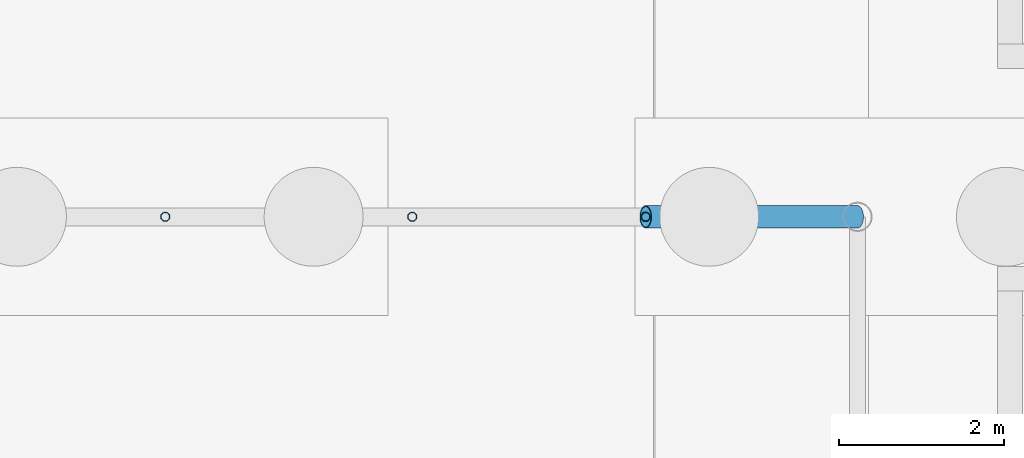
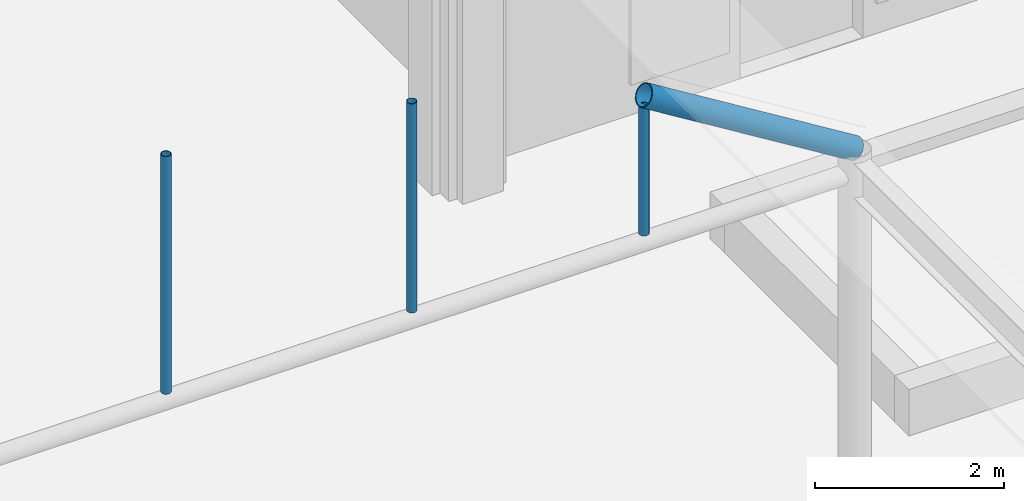
# One storey, part 138 of 212: 4 members.
"""IFC4 building model written with IfcOpenShell, lengths in metres."""

from ifc_helpers import new_model, si_unit, direction, frame, origin, origin_2d, place, context, subcontext, project, spatial, hollow_circle, extrude, material, material_profile, profile_set, type_object, element, save


model = new_model("IFC4")

# Units and contexts
model_context = context("Model", 3, precision=1e-05, world=origin(), true_north=direction((0.0, 1.0)))
body_context = subcontext(model_context, "Body", "Model", "MODEL_VIEW")
ifc_project = project(units=[si_unit("LENGTHUNIT", "METRE"), si_unit("AREAUNIT", "SQUARE_METRE"), si_unit("VOLUMEUNIT", "CUBIC_METRE"), si_unit("PLANEANGLEUNIT", "RADIAN"), si_unit("MASSUNIT", "GRAM", prefix="KILO")], contexts=[model_context])

# Site, building, storey
site_placement = place(None, origin())
site = spatial("IfcSite", under=ifc_project, at=site_placement, CompositionType="ELEMENT")
building_placement = place(site_placement, origin())
building = spatial("IfcBuilding", under=site, at=building_placement, Name="Catenary Quay Ferry Terminal", CompositionType="ELEMENT")
storey_placement = place(building_placement, origin())
storey = spatial("IfcBuildingStorey", under=building, at=storey_placement, Name="L00", CompositionType="ELEMENT", Elevation=0.0)

# Members
ifc_material_1 = material(Name="Steel S355", Category="steel")
ifc_material_profile_1 = material_profile(ifc_material_1, hollow_circle(Radius=0.05712890625, WallThickness=0.00634765625, at=origin_2d()), Name="CHS 114.3x6.3")
ifc_profile_set_1 = profile_set([ifc_material_profile_1], Name="Steel S355")
member_type_1 = type_object("IfcMemberType", Name="HG1 CHS 114.3x6.3", PredefinedType="POST", material=ifc_profile_set_1)
member_1_placement = place(storey_placement, frame((16.800048828125, 151.199951171875, 5.205078125), z_axis=(0.0, 0.0, 1.0), x_axis=(1.0, 0.0, 0.0)))
element("IfcMember", 1, at=member_1_placement, inside=storey, type_object=member_type_1, Name="Hanger FC-11-03", PredefinedType="POST", context=body_context, shape_type="SweptSolid", body=[
    extrude(hollow_circle(Radius=0.05712890625, WallThickness=0.00634765625, at=origin_2d()), origin(), (0.0, 0.0, 1.0), 3.06494140625),
])
member_2_placement = place(storey_placement, frame((19.797119140625, 151.199951171875, 5.205078125), z_axis=(0.0, 0.0, 1.0), x_axis=(1.0, 0.0, 0.0)))
element("IfcMember", 2, at=member_2_placement, inside=storey, type_object=member_type_1, Name="Hanger FC-11-04", PredefinedType="POST", context=body_context, shape_type="SweptSolid", body=[
    extrude(hollow_circle(Radius=0.05712890625, WallThickness=0.00634765625, at=origin_2d()), origin(), (0.0, 0.0, 1.0), 2.69580078125),
])
member_3_placement = place(storey_placement, frame((22.62890625, 151.199951171875, 5.205078125), z_axis=(0.0, 0.0, 1.0), x_axis=(1.0, 0.0, 0.0)))
element("IfcMember", 3, at=member_3_placement, inside=storey, type_object=member_type_1, Name="Hanger FC-11-05", PredefinedType="POST", context=body_context, shape_type="SweptSolid", body=[
    extrude(hollow_circle(Radius=0.05712890625, WallThickness=0.00634765625, at=origin_2d()), origin(), (0.0, 0.0, 1.0), 1.64892578125),
])
ifc_material_2 = material(Name="Steel S355", Category="steel")
ifc_material_profile_2 = material_profile(ifc_material_2, hollow_circle(Radius=0.136474609375, WallThickness=0.012451171875, at=origin_2d()), Name="CHS 273x12.5")
ifc_profile_set_2 = profile_set([ifc_material_profile_2], Name="Steel S355")
member_type_2 = type_object("IfcMemberType", Name="VR2 CHS 273x12.5", PredefinedType="RAFTER", material=ifc_profile_set_2)
member_4_placement = place(storey_placement, frame((22.62890625, 151.199951171875, 6.98388671875), z_axis=(0.851391726314, 0.0, -0.524530388408), x_axis=(0.0, 1.0, 0.0)))
element("IfcMember", 4, at=member_4_placement, inside=storey, type_object=member_type_2, Name="rib FC-11-06", PredefinedType="RAFTER", context=body_context, shape_type="SweptSolid", body=[
    extrude(hollow_circle(Radius=0.136474609375, WallThickness=0.012451171875, at=origin_2d()), origin(), (0.0, 0.0, 1.0), 3.019775390625),
])

save(model, "model.ifc")
